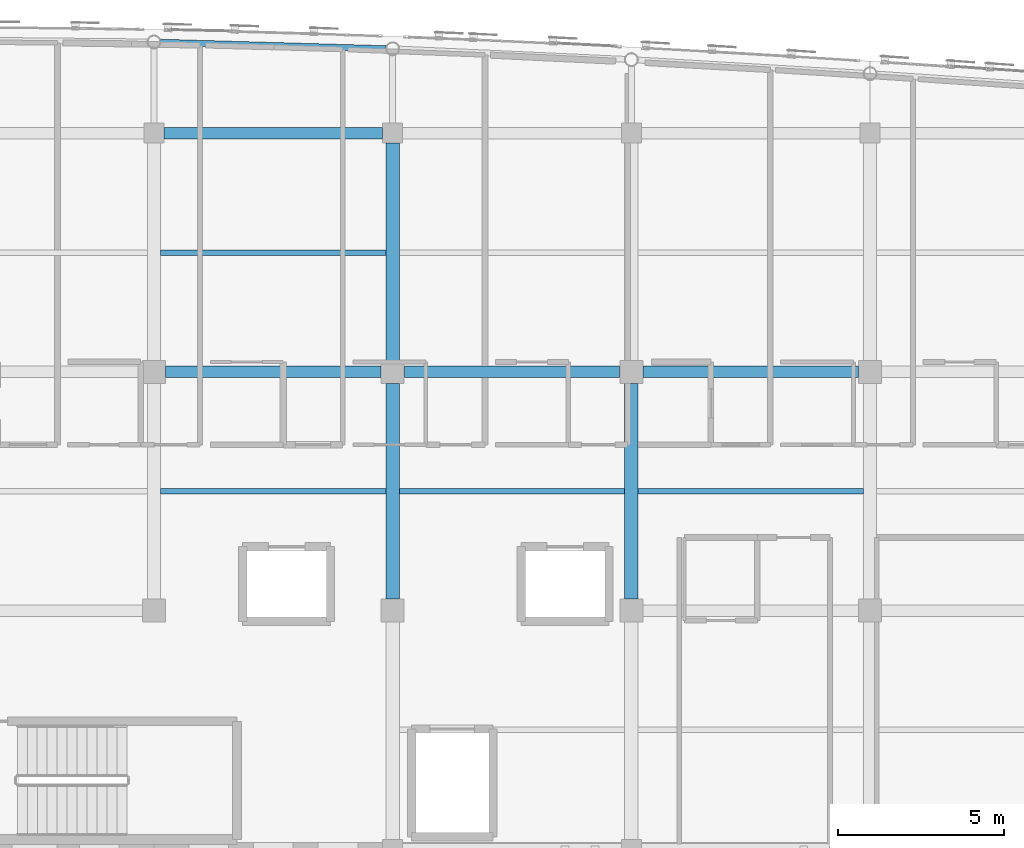
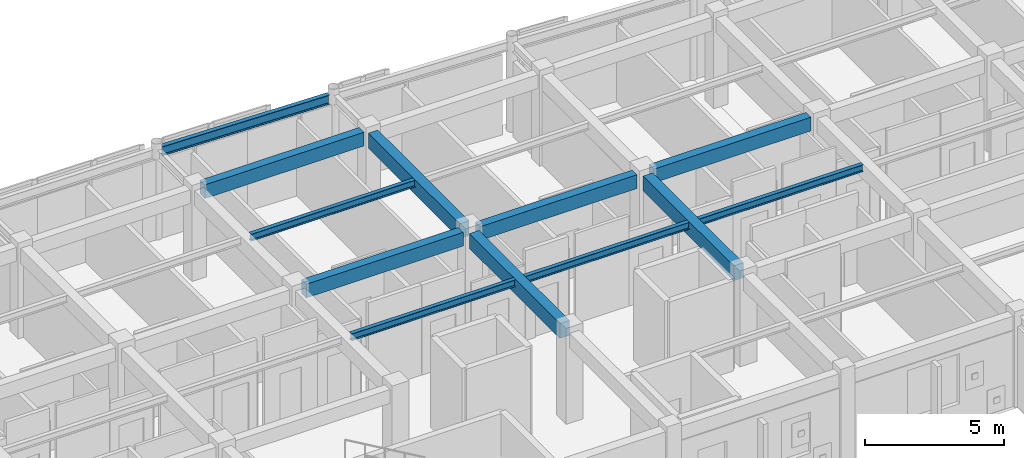
# One storey, part 49 of 113: 12 beams.
"""IFC4 building model written with IfcOpenShell, lengths in metres."""

from ifc_helpers import new_model, si_unit, direction, frame, origin, origin_2d, place, context, subcontext, project, spatial, rectangle, i_section, extrude, material, material_profile, profile_set, type_object, element, save


model = new_model("IFC4")

# Units and contexts
model_context = context("Model", 3, precision=1e-05, world=origin(), true_north=direction((0.0, 1.0)))
body_context = subcontext(model_context, "Body", "Model", "MODEL_VIEW")
ifc_project = project(units=[si_unit("LENGTHUNIT", "METRE"), si_unit("AREAUNIT", "SQUARE_METRE"), si_unit("VOLUMEUNIT", "CUBIC_METRE"), si_unit("PLANEANGLEUNIT", "RADIAN"), si_unit("MASSUNIT", "GRAM", prefix="KILO")], contexts=[model_context])

# Site, building, storey
site_placement = place(None, origin())
site = spatial("IfcSite", under=ifc_project, at=site_placement, CompositionType="ELEMENT")
building_placement = place(site_placement, origin())
building = spatial("IfcBuilding", under=site, at=building_placement, Name="Carrowvane Square Congress Hotel", CompositionType="ELEMENT")
storey_placement = place(building_placement, frame((0.0, 0.0, 15.0)))
storey = spatial("IfcBuildingStorey", under=building, at=storey_placement, Name="L03", CompositionType="ELEMENT", Elevation=15.0)

# Beams
ifc_material_1 = material(Name="Concrete C35/45", Category="concrete")
ifc_material_profile_1 = material_profile(ifc_material_1, rectangle(XDim=0.35009765625, YDim=0.60009765625, at=origin_2d()), Name="RC 350x600")
ifc_profile_set_1 = profile_set([ifc_material_profile_1], Name="Concrete C35/45")
beam_type_1 = type_object("IfcBeamType", Name="BM-RC-350x600", PredefinedType="BEAM", material=ifc_profile_set_1)
for number, where, z_axis, x_axis, name in (
    (1, (105.550048828125, 106.199951171875, 3.639892578125), (1.0, 0.0, 0.0), (0.0, 1.0, 0.0), "L04 girder Q/14-15"),
    (2, (112.75, 106.199951171875, 3.639892578125), (1.0, 0.0, 0.0), (0.0, 1.0, 0.0), "L04 girder Q/15-16"),
    (3, (119.949951171875, 106.199951171875, 3.639892578125), (1.0, 0.0, 0.0), (0.0, 1.0, 0.0), "L04 girder Q/16-17"),
):
    element("IfcBeam", number, at=place(storey_placement, frame(where, z_axis=z_axis, x_axis=x_axis)), inside=storey, type_object=beam_type_1, Name=name, PredefinedType="BEAM", context=body_context, shape_type="SweptSolid", body=[
        extrude(rectangle(XDim=0.35009765625, YDim=0.60009765625, at=origin_2d()), origin(), (0.0, 0.0, 1.0), 6.5),
    ])
beam_1_placement = place(storey_placement, frame((105.5, 113.39990234375, 3.639892578125), z_axis=(1.0, 0.0, 0.0), x_axis=(0.0, 1.0, 0.0)))
element("IfcBeam", 4, at=beam_1_placement, inside=storey, type_object=beam_type_1, Name="L04 girder R/14-15", PredefinedType="BEAM", context=body_context, shape_type="SweptSolid", body=[
    extrude(rectangle(XDim=0.35009765625, YDim=0.60009765625, at=origin_2d()), origin(), (0.0, 0.0, 1.0), 6.60009765625),
])
ifc_material_2 = material(Name="Concrete C35/45", Category="concrete")
ifc_material_profile_2 = material_profile(ifc_material_2, rectangle(XDim=0.39990234375, YDim=0.64990234375, at=origin_2d()), Name="RC 400x650")
ifc_profile_set_2 = profile_set([ifc_material_profile_2], Name="Concrete C35/45")
beam_type_2 = type_object("IfcBeamType", Name="BM-RC-400x650", PredefinedType="BEAM", material=ifc_profile_set_2)
beam_2_placement = place(storey_placement, frame((112.39990234375, 99.35009765625, 3.614990234375), z_axis=(0.0, 1.0, 0.0), x_axis=(-1.0, 0.0, 0.0)))
element("IfcBeam", 5, at=beam_2_placement, inside=storey, type_object=beam_type_2, Name="L04 girder 15/P-Q", PredefinedType="BEAM", context=body_context, shape_type="SweptSolid", body=[
    extrude(rectangle(XDim=0.39990234375, YDim=0.64990234375, at=origin_2d()), origin(), (0.0, 0.0, 1.0), 6.5),
])
beam_3_placement = place(storey_placement, frame((112.39990234375, 106.550048828125, 3.614990234375), z_axis=(0.0, 1.0, 0.0), x_axis=(-1.0, 0.0, 0.0)))
element("IfcBeam", 6, at=beam_3_placement, inside=storey, type_object=beam_type_2, Name="L04 girder 15/Q-R", PredefinedType="BEAM", context=body_context, shape_type="SweptSolid", body=[
    extrude(rectangle(XDim=0.39990234375, YDim=0.64990234375, at=origin_2d()), origin(), (0.0, 0.0, 1.0), 6.550048828125),
])
beam_4_placement = place(storey_placement, frame((119.60009765625, 99.35009765625, 3.614990234375), z_axis=(0.0, 1.0, 0.0), x_axis=(-1.0, 0.0, 0.0)))
element("IfcBeam", 7, at=beam_4_placement, inside=storey, type_object=beam_type_2, Name="L04 girder 16/P-Q", PredefinedType="BEAM", context=body_context, shape_type="SweptSolid", body=[
    extrude(rectangle(XDim=0.39990234375, YDim=0.64990234375, at=origin_2d()), origin(), (0.0, 0.0, 1.0), 6.5),
])
ifc_material_3 = material(Name="Steel S355", Category="steel")
ifc_material_profile_3 = material_profile(ifc_material_3, i_section(OverallWidth=0.165771484375, OverallDepth=0.306640625, WebThickness=0.006591796875, FlangeThickness=0.01171875, FilletRadius=0.0087890625, at=origin_2d()), Name="UKB 305x165x46")
ifc_profile_set_3 = profile_set([ifc_material_profile_3], Name="Steel S355")
beam_type_3 = type_object("IfcBeamType", Name="BM-ST-UKB305", PredefinedType="JOIST", material=ifc_profile_set_3)
for number, where, z_axis, x_axis, name in (
    (8, (105.39990234375, 102.60009765625, 3.78662109375), (1.0, 0.0, 0.0), (0.0, 1.0, 0.0), "L04 secondary joist 14-15"),
    (9, (105.39990234375, 109.800048828125, 3.78662109375), (1.0, 0.0, 0.0), (0.0, 1.0, 0.0), "L04 secondary joist 14-15"),
):
    element("IfcBeam", number, at=place(storey_placement, frame(where, z_axis=z_axis, x_axis=x_axis)), inside=storey, type_object=beam_type_3, Name=name, PredefinedType="JOIST", context=body_context, shape_type="SweptSolid", body=[
        extrude(i_section(OverallWidth=0.165771484375, OverallDepth=0.306640625, WebThickness=0.006591796875, FlangeThickness=0.01171875, FilletRadius=0.0087890625, at=origin_2d()), origin(), (0.0, 0.0, 1.0), 6.800048828125),
    ])
beam_5_placement = place(storey_placement, frame((112.60009765625, 102.60009765625, 3.78662109375), z_axis=(1.0, 0.0, 0.0), x_axis=(0.0, 1.0, 0.0)))
element("IfcBeam", 10, at=beam_5_placement, inside=storey, type_object=beam_type_3, Name="L04 secondary joist 15-16", PredefinedType="JOIST", context=body_context, shape_type="SweptSolid", body=[
    extrude(i_section(OverallWidth=0.165771484375, OverallDepth=0.306640625, WebThickness=0.006591796875, FlangeThickness=0.01171875, FilletRadius=0.0087890625, at=origin_2d()), origin(), (0.0, 0.0, 1.0), 6.7998046875),
])
beam_6_placement = place(storey_placement, frame((119.800048828125, 102.60009765625, 3.78662109375), z_axis=(1.0, 0.0, 0.0), x_axis=(0.0, 1.0, 0.0)))
element("IfcBeam", 11, at=beam_6_placement, inside=storey, type_object=beam_type_3, Name="L04 secondary joist 16-17", PredefinedType="JOIST", context=body_context, shape_type="SweptSolid", body=[
    extrude(i_section(OverallWidth=0.165771484375, OverallDepth=0.306640625, WebThickness=0.006591796875, FlangeThickness=0.01171875, FilletRadius=0.0087890625, at=origin_2d()), origin(), (0.0, 0.0, 1.0), 6.800048828125),
])
ifc_material_4 = material(Name="Steel S355", Category="steel")
ifc_material_profile_4 = material_profile(ifc_material_4, i_section(OverallWidth=0.1787109375, OverallDepth=0.409423828125, WebThickness=0.0087890625, FlangeThickness=0.014404296875, FilletRadius=0.01025390625, at=origin_2d()), Name="UKB 406x178x67")
ifc_profile_set_4 = profile_set([ifc_material_profile_4], Name="Steel S355")
beam_type_4 = type_object("IfcBeamType", Name="BM-ST-UKB406", PredefinedType="BEAM", material=ifc_profile_set_4)
beam_7_placement = place(storey_placement, frame((105.403076171875, 116.14404296875, 3.7353515625), z_axis=(0.999591118992, -0.02859361522, 0.0), x_axis=(0.02859361522, 0.999591118992, 0.0)))
element("IfcBeam", 12, at=beam_7_placement, inside=storey, type_object=beam_type_4, Name="L04 curved north spandrel", PredefinedType="BEAM", context=body_context, shape_type="SweptSolid", body=[
    extrude(i_section(OverallWidth=0.1787109375, OverallDepth=0.409423828125, WebThickness=0.0087890625, FlangeThickness=0.014404296875, FilletRadius=0.01025390625, at=origin_2d()), origin(), (0.0, 0.0, 1.0), 6.79638671875),
])

save(model, "model.ifc")
